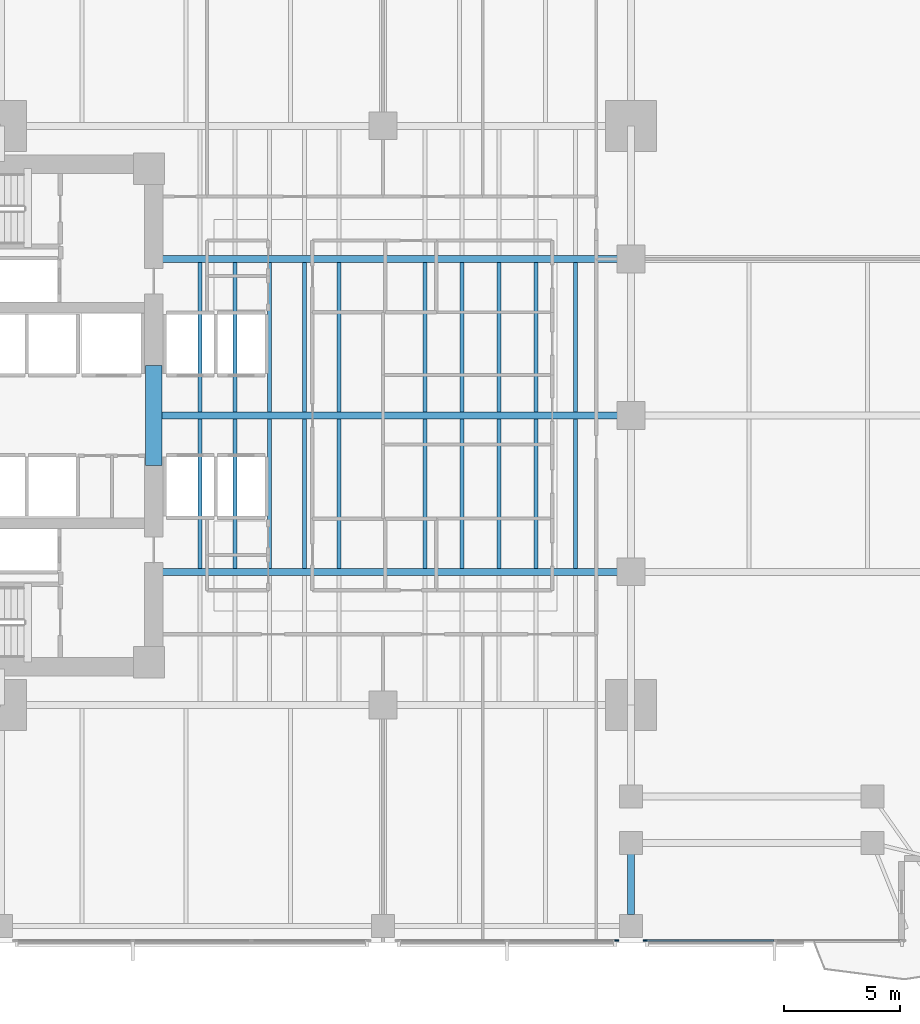
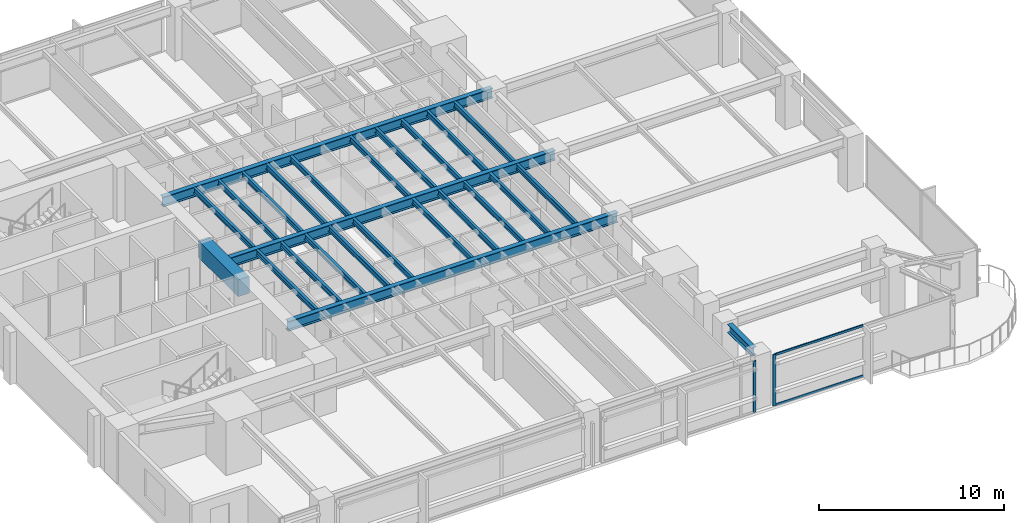
# One storey, part 3 of 15: 25 beams, 4 members, 2 elements without a shape of their own.
"""IFC4 building model written with IfcOpenShell, lengths in metres."""

from ifc_helpers import new_model, si_unit, direction, frame, origin, origin_2d, place, context, subcontext, project, spatial, rectangle, i_section, extrude, material, layer, layer_set, material_profile, profile_set, type_object, element, aggregate, save


model = new_model("IFC4")

# Units and contexts
model_context = context("Model", 3, precision=1e-05, world=origin(), true_north=direction((0.0, 1.0)))
body_context = subcontext(model_context, "Body", "Model", "MODEL_VIEW")
ifc_project = project(units=[si_unit("LENGTHUNIT", "METRE"), si_unit("AREAUNIT", "SQUARE_METRE"), si_unit("VOLUMEUNIT", "CUBIC_METRE"), si_unit("PLANEANGLEUNIT", "RADIAN"), si_unit("MASSUNIT", "GRAM", prefix="KILO")], contexts=[model_context])

# Site, building, storey
site_placement = place(None, origin())
site = spatial("IfcSite", under=ifc_project, at=site_placement, CompositionType="ELEMENT")
building_placement = place(site_placement, origin())
building = spatial("IfcBuilding", under=site, at=building_placement, Name="Kinhvarn Gate Tower", CompositionType="ELEMENT")
storey_placement = place(building_placement, frame((0.0, 0.0, 71.75)))
storey = spatial("IfcBuildingStorey", under=building, at=storey_placement, Name="L18", CompositionType="ELEMENT", Elevation=71.75)

# Beam
ifc_material_1 = material(Name="Concrete C70/85", Category="concrete")
ifc_material_profile_1 = material_profile(ifc_material_1, rectangle(XDim=0.699951171875, YDim=1.10009765625, at=origin_2d()), Name="RC 700x1100")
ifc_profile_set_1 = profile_set([ifc_material_profile_1], Name="Concrete C70/85")
beam_type_1 = type_object("IfcBeamType", Name="BM-CB-1100", PredefinedType="LINTEL", material=ifc_profile_set_1)
beam_1_placement = place(storey_placement, frame((17.60009765625, 23.10009765625, 2.820068359375), z_axis=(0.0, 1.0, 0.0), x_axis=(-1.0, 0.0, 0.0)))
element("IfcBeam", 1, at=beam_1_placement, inside=storey, type_object=beam_type_1, Name="Core East Portal Coupling Beam L18", PredefinedType="LINTEL", context=body_context, shape_type="SweptSolid", body=[
    extrude(rectangle(XDim=0.699951171875, YDim=1.10009765625, at=origin_2d()), origin(), (0.0, 0.0, 1.0), 4.2998046875),
])

# Curtain wall, member
ifc_material_2 = material(Name="Anodised aluminium AW-6063", Category="aluminium")
ifc_layer = layer(ifc_material_2, 0.179931640625)
ifc_layer_set = layer_set([ifc_layer], Name="Anodised aluminium AW-6063")
curtain_wall_type = type_object("IfcCurtainWallType", Name="CW-SYS-2", PredefinedType="NOTDEFINED", material=ifc_layer_set)
curtain_wall_1_placement = place(storey_placement, origin())
curtain_wall_1 = element("IfcCurtainWall", 2, at=curtain_wall_1_placement, inside=storey, type_object=curtain_wall_type, Name="Curtain Wall CW2 (L18)", PredefinedType="NOTDEFINED")
ifc_material_profile_2 = material_profile(ifc_material_2, rectangle(XDim=0.070068359375, YDim=0.179931640625, at=origin_2d()), Name="ALU 70x180")
ifc_profile_set_2 = profile_set([ifc_material_profile_2], Name="Anodised aluminium AW-6063")
member_type_1 = type_object("IfcMemberType", Name="CW-MUL-180", PredefinedType="MULLION", material=ifc_profile_set_2)
member_1_placement = place(storey_placement, frame((37.5849609375, 2.590087890625, 0.0), z_axis=(0.0, 0.0, 1.0), x_axis=(0.0, 1.0, 0.0)))
member_1 = element("IfcMember", 3, at=member_1_placement, type_object=member_type_1, Name="CW2 mullion 3", PredefinedType="MULLION", context=body_context, shape_type="SweptSolid", body=[
    extrude(rectangle(XDim=0.070068359375, YDim=0.179931640625, at=origin_2d()), origin(), (0.0, 0.0, 1.0), 3.3701171875),
])
aggregate(curtain_wall_1, [member_1])

# Curtain wall, members
curtain_wall_2_placement = place(storey_placement, origin())
curtain_wall_2 = element("IfcCurtainWall", 4, at=curtain_wall_2_placement, inside=storey, type_object=curtain_wall_type, Name="Curtain Wall CW2 (L18)", PredefinedType="NOTDEFINED")
member_2_placement = place(storey_placement, frame((38.81494140625, 2.590087890625, 0.0), z_axis=(0.0, 0.0, 1.0), x_axis=(0.0, 1.0, 0.0)))
member_2 = element("IfcMember", 5, at=member_2_placement, type_object=member_type_1, Name="CW2 mullion 1", PredefinedType="MULLION", context=body_context, shape_type="SweptSolid", body=[
    extrude(rectangle(XDim=0.070068359375, YDim=0.179931640625, at=origin_2d()), origin(), (0.0, 0.0, 1.0), 3.3701171875),
])
ifc_material_profile_3 = material_profile(ifc_material_2, rectangle(XDim=0.070068359375, YDim=0.139892578125, at=origin_2d()), Name="ALU 70x140")
ifc_profile_set_3 = profile_set([ifc_material_profile_3], Name="Anodised aluminium AW-6063")
member_type_2 = type_object("IfcMemberType", Name="CW-TRN-140", PredefinedType="USERDEFINED", material=ifc_profile_set_3)
member_3_placement = place(storey_placement, frame((38.85009765625, 2.590087890625, 0.034912109375), z_axis=(1.0, 0.0, 0.0), x_axis=(0.0, 1.0, 0.0)))
member_3 = element("IfcMember", 6, at=member_3_placement, type_object=member_type_2, Name="CW2 transom 1.1", ObjectType="TRANSOM", PredefinedType="USERDEFINED", context=body_context, shape_type="SweptSolid", body=[
    extrude(rectangle(XDim=0.070068359375, YDim=0.139892578125, at=origin_2d()), origin(), (0.0, 0.0, 1.0), 5.5048828125),
])
member_4_placement = place(storey_placement, frame((38.85009765625, 2.590087890625, 3.3349609375), z_axis=(1.0, 0.0, 0.0), x_axis=(0.0, 1.0, 0.0)))
member_4 = element("IfcMember", 7, at=member_4_placement, type_object=member_type_2, Name="CW2 transom 1.2", ObjectType="TRANSOM", PredefinedType="USERDEFINED", context=body_context, shape_type="SweptSolid", body=[
    extrude(rectangle(XDim=0.070068359375, YDim=0.139892578125, at=origin_2d()), origin(), (0.0, 0.0, 1.0), 5.5048828125),
])
aggregate(curtain_wall_2, [member_2, member_3, member_4])

# Beams
ifc_material_3 = material(Name="Steel S355", Category="steel")
ifc_material_profile_4 = material_profile(ifc_material_3, i_section(OverallWidth=0.300048828125, OverallDepth=0.550048828125, WebThickness=0.014892578125, FlangeThickness=0.029052734375, at=origin_2d()), Name="HEB 550")
ifc_profile_set_4 = profile_set([ifc_material_profile_4], Name="Steel S355")
beam_type_2 = type_object("IfcBeamType", Name="STL-HEB550", PredefinedType="BEAM", material=ifc_profile_set_4)
beam_2_placement = place(storey_placement, frame((38.199951171875, 3.705078125, 3.094970703125), z_axis=(0.0, 1.0, 0.0), x_axis=(-1.0, 0.0, 0.0)))
element("IfcBeam", 8, at=beam_2_placement, inside=storey, type_object=beam_type_2, Name="Floor Beam PG-15 (L18 MCE-S-A0)", PredefinedType="BEAM", context=body_context, shape_type="SweptSolid", body=[
    extrude(i_section(OverallWidth=0.300048828125, OverallDepth=0.550048828125, WebThickness=0.014892578125, FlangeThickness=0.029052734375, at=origin_2d()), origin(), (0.0, 0.0, 1.0), 2.60986328125),
])
ifc_material_profile_5 = material_profile(ifc_material_3, i_section(OverallWidth=0.300048828125, OverallDepth=0.64990234375, WebThickness=0.01611328125, FlangeThickness=0.031005859375, at=origin_2d()), Name="HEB 650")
ifc_profile_set_5 = profile_set([ifc_material_profile_5], Name="Steel S355")
beam_type_3 = type_object("IfcBeamType", Name="STL-HEB650", PredefinedType="BEAM", material=ifc_profile_set_5)
beam_3_placement = place(storey_placement, frame((17.64990234375, 18.5, 3.044921875), z_axis=(1.0, 0.0, 0.0), x_axis=(0.0, 1.0, 0.0)))
element("IfcBeam", 9, at=beam_3_placement, inside=storey, type_object=beam_type_3, Name="Floor Beam PG-17 (L18 EW1-Y18)", PredefinedType="BEAM", context=body_context, shape_type="SweptSolid", body=[
    extrude(i_section(OverallWidth=0.300048828125, OverallDepth=0.64990234375, WebThickness=0.01611328125, FlangeThickness=0.031005859375, at=origin_2d()), origin(), (0.0, 0.0, 1.0), 20.550048828125),
])
beam_4_placement = place(storey_placement, frame((17.949951171875, 25.25, 3.044921875), z_axis=(1.0, 0.0, 0.0), x_axis=(0.0, 1.0, 0.0)))
element("IfcBeam", 10, at=beam_4_placement, inside=storey, type_object=beam_type_3, Name="Floor Beam PG-17 (L18 EW1-Y25)", PredefinedType="BEAM", context=body_context, shape_type="SweptSolid", body=[
    extrude(i_section(OverallWidth=0.300048828125, OverallDepth=0.64990234375, WebThickness=0.01611328125, FlangeThickness=0.031005859375, at=origin_2d()), origin(), (0.0, 0.0, 1.0), 20.25),
])
beam_5_placement = place(storey_placement, frame((17.64990234375, 32.0, 3.044921875), z_axis=(1.0, 0.0, 0.0), x_axis=(0.0, 1.0, 0.0)))
element("IfcBeam", 11, at=beam_5_placement, inside=storey, type_object=beam_type_3, Name="Floor Beam PG-17 (L18 EW1-Y32)", PredefinedType="BEAM", context=body_context, shape_type="SweptSolid", body=[
    extrude(i_section(OverallWidth=0.300048828125, OverallDepth=0.64990234375, WebThickness=0.01611328125, FlangeThickness=0.031005859375, at=origin_2d()), origin(), (0.0, 0.0, 1.0), 20.550048828125),
])
ifc_material_profile_6 = material_profile(ifc_material_3, i_section(OverallWidth=0.169921875, OverallDepth=0.360107421875, WebThickness=0.008056640625, FlangeThickness=0.0126953125, at=origin_2d()), Name="IPE 360")
ifc_profile_set_6 = profile_set([ifc_material_profile_6], Name="Steel S355")
beam_type_4 = type_object("IfcBeamType", Name="STL-IPE360", PredefinedType="JOIST", material=ifc_profile_set_6)
for number, where, z_axis, x_axis, name in (
    (12, (19.60009765625, 18.64990234375, 3.18994140625), (0.0, 1.0, 0.0), (-1.0, 0.0, 0.0), "Floor Joist SB-04 (L18 JC-X196-1)"),
    (13, (19.60009765625, 25.39990234375, 3.18994140625), (0.0, 1.0, 0.0), (-1.0, 0.0, 0.0), "Floor Joist SB-04 (L18 JC-X196-2)"),
    (14, (21.10009765625, 18.64990234375, 3.18994140625), (0.0, 1.0, 0.0), (-1.0, 0.0, 0.0), "Floor Joist SB-04 (L18 JC-X211-1)"),
    (15, (21.10009765625, 25.39990234375, 3.18994140625), (0.0, 1.0, 0.0), (-1.0, 0.0, 0.0), "Floor Joist SB-04 (L18 JC-X211-2)"),
    (16, (22.60009765625, 18.64990234375, 3.18994140625), (0.0, 1.0, 0.0), (-1.0, 0.0, 0.0), "Floor Joist SB-04 (L18 JC-X226-1)"),
    (17, (22.60009765625, 25.39990234375, 3.18994140625), (0.0, 1.0, 0.0), (-1.0, 0.0, 0.0), "Floor Joist SB-04 (L18 JC-X226-2)"),
    (18, (24.10009765625, 18.64990234375, 3.18994140625), (0.0, 1.0, 0.0), (-1.0, 0.0, 0.0), "Floor Joist SB-04 (L18 JC-X241-1)"),
    (19, (24.10009765625, 25.39990234375, 3.18994140625), (0.0, 1.0, 0.0), (-1.0, 0.0, 0.0), "Floor Joist SB-04 (L18 JC-X241-2)"),
    (20, (25.60009765625, 18.64990234375, 3.18994140625), (0.0, 1.0, 0.0), (-1.0, 0.0, 0.0), "Floor Joist SB-04 (L18 JC-X256-1)"),
    (21, (25.60009765625, 25.39990234375, 3.18994140625), (0.0, 1.0, 0.0), (-1.0, 0.0, 0.0), "Floor Joist SB-04 (L18 JC-X256-2)"),
    (22, (29.300048828125, 18.64990234375, 3.18994140625), (0.0, 1.0, 0.0), (-1.0, 0.0, 0.0), "Floor Joist SB-04 (L18 JC-X293-1)"),
    (23, (29.300048828125, 25.39990234375, 3.18994140625), (0.0, 1.0, 0.0), (-1.0, 0.0, 0.0), "Floor Joist SB-04 (L18 JC-X293-2)"),
    (24, (30.89990234375, 18.64990234375, 3.18994140625), (0.0, 1.0, 0.0), (-1.0, 0.0, 0.0), "Floor Joist SB-04 (L18 JC-X309-1)"),
    (25, (30.89990234375, 25.39990234375, 3.18994140625), (0.0, 1.0, 0.0), (-1.0, 0.0, 0.0), "Floor Joist SB-04 (L18 JC-X309-2)"),
    (26, (32.5, 18.64990234375, 3.18994140625), (0.0, 1.0, 0.0), (-1.0, 0.0, 0.0), "Floor Joist SB-04 (L18 JC-X325-1)"),
    (27, (32.5, 25.39990234375, 3.18994140625), (0.0, 1.0, 0.0), (-1.0, 0.0, 0.0), "Floor Joist SB-04 (L18 JC-X325-2)"),
    (28, (34.10009765625, 18.64990234375, 3.18994140625), (0.0, 1.0, 0.0), (-1.0, 0.0, 0.0), "Floor Joist SB-04 (L18 JC-X341-1)"),
    (29, (34.10009765625, 25.39990234375, 3.18994140625), (0.0, 1.0, 0.0), (-1.0, 0.0, 0.0), "Floor Joist SB-04 (L18 JC-X341-2)"),
    (30, (35.800048828125, 18.64990234375, 3.18994140625), (0.0, 1.0, 0.0), (-1.0, 0.0, 0.0), "Floor Joist SB-04 (L18 JC-X358-1)"),
    (31, (35.800048828125, 25.39990234375, 3.18994140625), (0.0, 1.0, 0.0), (-1.0, 0.0, 0.0), "Floor Joist SB-04 (L18 JC-X358-2)"),
):
    element("IfcBeam", number, at=place(storey_placement, frame(where, z_axis=z_axis, x_axis=x_axis)), inside=storey, type_object=beam_type_4, Name=name, PredefinedType="JOIST", context=body_context, shape_type="SweptSolid", body=[
        extrude(i_section(OverallWidth=0.169921875, OverallDepth=0.360107421875, WebThickness=0.008056640625, FlangeThickness=0.0126953125, at=origin_2d()), origin(), (0.0, 0.0, 1.0), 6.4501953125),
    ])

save(model, "model.ifc")
